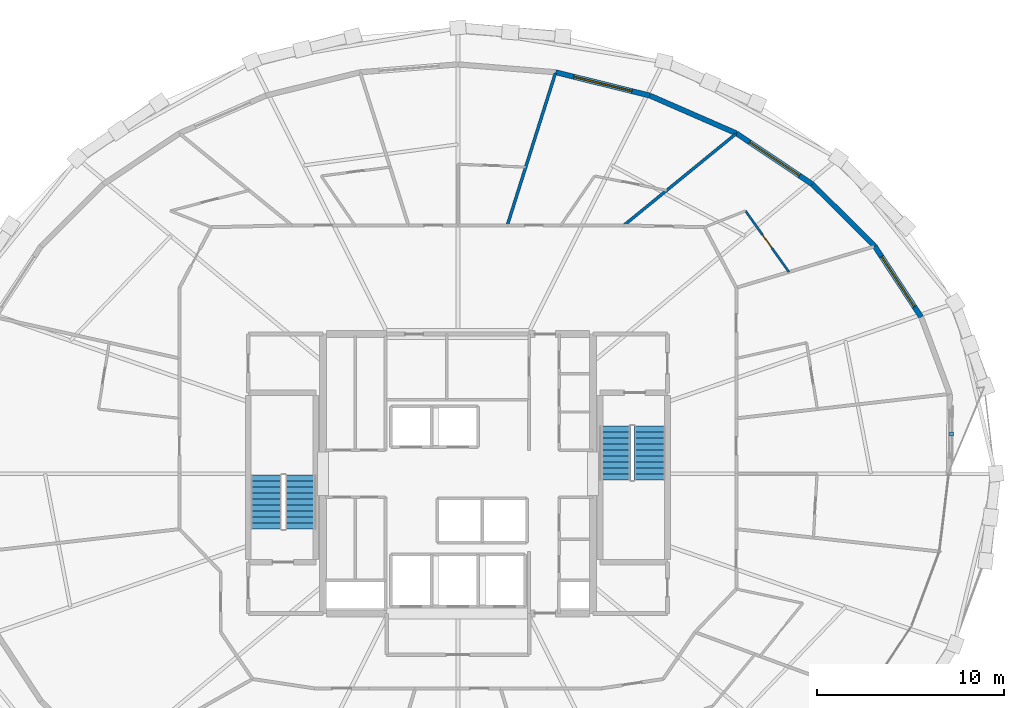
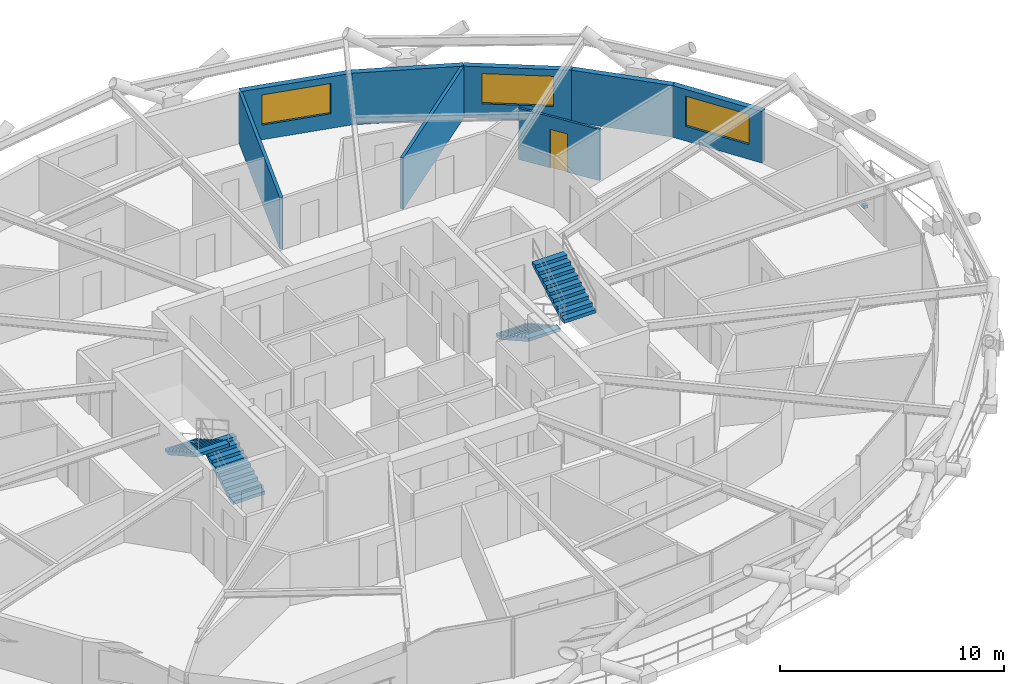
# One storey, part 17 of 20: 8 walls, 4 stair flights, 3 windows, 1 discrete accessory, 1 door, 4 openings, 2 elements without a shape of their own.
"""IFC4 building model written with IfcOpenShell, lengths in metres."""

from ifc_helpers import new_model, si_unit, direction, frame, frame_2d, origin, origin_2d, place, context, subcontext, project, spatial, polyline, rectangle, outline, extrude, material, layer, layer_set, type_object, element, fill, aggregate, save


model = new_model("IFC4")

# Units and contexts
model_context = context("Model", 3, precision=1e-05, world=origin(), true_north=direction((0.0, 1.0)))
body_context = subcontext(model_context, "Body", "Model", "MODEL_VIEW")
ifc_project = project(units=[si_unit("LENGTHUNIT", "METRE"), si_unit("AREAUNIT", "SQUARE_METRE"), si_unit("VOLUMEUNIT", "CUBIC_METRE"), si_unit("PLANEANGLEUNIT", "RADIAN"), si_unit("MASSUNIT", "GRAM", prefix="KILO")], contexts=[model_context])

# Site, building, storey
site_placement = place(None, origin())
site = spatial("IfcSite", under=ifc_project, at=site_placement, CompositionType="ELEMENT")
building_placement = place(site_placement, origin())
building = spatial("IfcBuilding", under=site, at=building_placement, Name="Veldorina Hangang Commons", CompositionType="ELEMENT")
storey_placement = place(building_placement, frame((0.0, 0.0, 117.199951171875)))
storey = spatial("IfcBuildingStorey", under=building, at=storey_placement, Name="L29", CompositionType="ELEMENT", Elevation=117.199951171875)

# Wall, opening, window
ifc_material_1 = material(Name="Stone Roman Travertine", Category="masonry")
ifc_layer_1 = layer(ifc_material_1, 0.280029296875)
ifc_layer_set_1 = layer_set([ifc_layer_1], Name="Stone Roman Travertine")
wall_type_1 = type_object("IfcWallType", Name="EW-TRAV-280", PredefinedType="STANDARD", material=ifc_layer_set_1)
wall_1_placement = place(storey_placement, frame((56.71044921875, 32.355712890625, 0.0), z_axis=(0.0, 0.0, 1.0), x_axis=(-0.547750773174, 0.836641554363, 0.0)))
wall_1 = element("IfcWall", 1, at=wall_1_placement, inside=storey, type_object=wall_type_1, Name="L29 travertine facade wall 02", PredefinedType="STANDARD", context=body_context, shape_type="SweptSolid", body=[
    extrude(rectangle(XDim=4.511962890625, YDim=0.280029296875, at=frame_2d((2.255859375, 0.0))), origin(), (0.0, 0.0, 1.0), 2.820068359375),
])
opening_1_placement = place(wall_1_placement, frame((0.656005859375, 0.0, 0.800048828125)))
opening_1 = element("IfcOpeningElement", 2, at=opening_1_placement, cuts=wall_1, Name="Opening W-01", PredefinedType="OPENING", context=body_context, shape_type="SweptSolid", body=[
    extrude(rectangle(XDim=3.199951171875, YDim=1.64990234375, at=frame_2d((1.60009765625, 0.824951171875))), frame((0.0, 0.14990234375, 0.0), z_axis=(0.0, -1.0, 0.0), x_axis=(1.0, 0.0, 0.0)), (0.0, 0.0, 1.0), 0.300048828125),
])
ifc_material_2 = material(Name="Glass Low-E Triple IGU", Category="glass")
window_type = type_object("IfcWindowType", Name="WIN-TWR-3200", PartitioningType="SINGLE_PANEL", PredefinedType="WINDOW", material=ifc_material_2)
window_1_placement = place(opening_1_placement, origin())
window_1 = element("IfcWindow", 3, at=window_1_placement, inside=storey, type_object=window_type, Name="L29 facade window 02", OverallHeight=1.64990234375, OverallWidth=3.199951171875, PartitioningType="SINGLE_PANEL", PredefinedType="WINDOW", context=body_context, shape_type="SweptSolid", body=[
    extrude(rectangle(XDim=3.199951171875, YDim=1.64990234375, at=frame_2d((1.60009765625, 0.824951171875))), frame((0.0, 0.030029296875, 0.0), z_axis=(0.0, -1.0, 0.0), x_axis=(1.0, 0.0, 0.0)), (0.0, 0.0, 1.0), 0.06005859375),
])
fill(opening_1, window_1)

# Wall
wall_2_placement = place(storey_placement, frame((54.239013671875, 36.130615234375, 0.0), z_axis=(0.0, 0.0, 1.0), x_axis=(-0.708977561681, 0.705231038052, 0.0)))
element("IfcWall", 4, at=wall_2_placement, inside=storey, type_object=wall_type_1, Name="L29 travertine facade wall 03", PredefinedType="STANDARD", context=body_context, shape_type="SweptSolid", body=[
    extrude(rectangle(XDim=4.69189453125, YDim=0.280029296875, at=frame_2d((2.345947265625, 0.0))), origin(), (0.0, 0.0, 1.0), 2.820068359375),
])

# Wall, opening, window
wall_3_placement = place(storey_placement, frame((50.91259765625, 39.439453125, 0.0), z_axis=(0.0, 0.0, 1.0), x_axis=(-0.830785482437, 0.556592743549, 0.0)))
wall_3 = element("IfcWall", 5, at=wall_3_placement, inside=storey, type_object=wall_type_1, Name="L29 travertine facade wall 04", PredefinedType="STANDARD", context=body_context, shape_type="SweptSolid", body=[
    extrude(rectangle(XDim=4.87841796875, YDim=0.280029296875, at=frame_2d((2.439208984375, 0.0))), origin(), (0.0, 0.0, 1.0), 2.820068359375),
])
opening_2_placement = place(wall_3_placement, frame((0.83935546875, 0.0, 0.800048828125)))
opening_2 = element("IfcOpeningElement", 6, at=opening_2_placement, cuts=wall_3, Name="Opening W-01", PredefinedType="OPENING", context=body_context, shape_type="SweptSolid", body=[
    extrude(rectangle(XDim=3.199951171875, YDim=1.64990234375, at=frame_2d((1.60009765625, 0.824951171875))), frame((0.0, 0.14990234375, 0.0), z_axis=(0.0, -1.0, 0.0), x_axis=(1.0, 0.0, 0.0)), (0.0, 0.0, 1.0), 0.300048828125),
])
window_2_placement = place(opening_2_placement, origin())
window_2 = element("IfcWindow", 7, at=window_2_placement, inside=storey, type_object=window_type, Name="L29 facade window 04", OverallHeight=1.64990234375, OverallWidth=3.199951171875, PartitioningType="SINGLE_PANEL", PredefinedType="WINDOW", context=body_context, shape_type="SweptSolid", body=[
    extrude(rectangle(XDim=3.199951171875, YDim=1.64990234375, at=frame_2d((1.60009765625, 0.824951171875))), frame((0.0, 0.030029296875, 0.0), z_axis=(0.0, -1.0, 0.0), x_axis=(1.0, 0.0, 0.0)), (0.0, 0.0, 1.0), 0.06005859375),
])
fill(opening_2, window_2)

# Wall
wall_4_placement = place(storey_placement, frame((46.859619140625, 42.15478515625, 0.0), z_axis=(0.0, 0.0, 1.0), x_axis=(-0.916542280899, 0.39993780432, 0.0)))
element("IfcWall", 8, at=wall_4_placement, inside=storey, type_object=wall_type_1, Name="L29 travertine facade wall 05", PredefinedType="STANDARD", context=body_context, shape_type="SweptSolid", body=[
    extrude(rectangle(XDim=5.04541015625, YDim=0.280029296875, at=frame_2d((2.522705078125, 0.0))), origin(), (0.0, 0.0, 1.0), 2.820068359375),
])

# Wall, opening, window
wall_5_placement = place(storey_placement, frame((42.2353515625, 44.172607421875, 0.0), z_axis=(0.0, 0.0, 1.0), x_axis=(-0.970681867926, 0.24036786657, 0.0)))
wall_5 = element("IfcWall", 9, at=wall_5_placement, inside=storey, type_object=wall_type_1, Name="L29 travertine facade wall 06", PredefinedType="STANDARD", context=body_context, shape_type="SweptSolid", body=[
    extrude(rectangle(XDim=5.1689453125, YDim=0.280029296875, at=frame_2d((2.58447265625, 0.0))), origin(), (0.0, 0.0, 1.0), 2.820068359375),
])
opening_3_placement = place(wall_5_placement, frame((0.984619140625, 0.0, 0.800048828125)))
opening_3 = element("IfcOpeningElement", 10, at=opening_3_placement, cuts=wall_5, Name="Opening W-01", PredefinedType="OPENING", context=body_context, shape_type="SweptSolid", body=[
    extrude(rectangle(XDim=3.199951171875, YDim=1.64990234375, at=frame_2d((1.60009765625, 0.824951171875))), frame((0.0, 0.14990234375, 0.0), z_axis=(0.0, -1.0, 0.0), x_axis=(1.0, 0.0, 0.0)), (0.0, 0.0, 1.0), 0.300048828125),
])
window_3_placement = place(opening_3_placement, origin())
window_3 = element("IfcWindow", 11, at=window_3_placement, inside=storey, type_object=window_type, Name="L29 facade window 06", OverallHeight=1.64990234375, OverallWidth=3.199951171875, PartitioningType="SINGLE_PANEL", PredefinedType="WINDOW", context=body_context, shape_type="SweptSolid", body=[
    extrude(rectangle(XDim=3.199951171875, YDim=1.64990234375, at=frame_2d((1.60009765625, 0.824951171875))), frame((0.0, 0.030029296875, 0.0), z_axis=(0.0, -1.0, 0.0), x_axis=(1.0, 0.0, 0.0)), (0.0, 0.0, 1.0), 0.06005859375),
])
fill(opening_3, window_3)

# Walls
ifc_material_3 = material(Name="Gypsum Fire-Rated Twin Stud Wall", Category="gypsum")
ifc_layer_2 = layer(ifc_material_3, 0.159912109375)
ifc_layer_set_2 = layer_set([ifc_layer_2], Name="Gypsum Fire-Rated Twin Stud Wall")
wall_type_2 = type_object("IfcWallType", Name="WL-FIRE-160", PredefinedType="SOLIDWALL", material=ifc_layer_set_2)
wall_6_placement = place(storey_placement, frame((40.853515625, 37.25, 0.0), z_axis=(0.0, 0.0, 1.0), x_axis=(0.774531610093, 0.632535204528, 0.0)))
element("IfcWall", 12, at=wall_6_placement, inside=storey, type_object=wall_type_2, Name="L29 Unit party wall 05 099", PredefinedType="SOLIDWALL", context=body_context, shape_type="SweptSolid", body=[
    extrude(rectangle(XDim=7.704345703125, YDim=0.159912109375, at=frame_2d((3.85205078125, 0.0))), origin(), (0.0, 0.0, 1.0), 2.800048828125),
])
wall_7_placement = place(storey_placement, frame((34.635498046875, 37.25, 0.0), z_axis=(0.0, 0.0, 1.0), x_axis=(0.301556782857, 0.953448219209, 0.0)))
element("IfcWall", 13, at=wall_7_placement, inside=storey, type_object=wall_type_2, Name="L29 Unit party wall 07 102", PredefinedType="SOLIDWALL", context=body_context, shape_type="SweptSolid", body=[
    extrude(rectangle(XDim=8.513671875, YDim=0.159912109375, at=frame_2d((4.2568359375, 0.0))), origin(), (0.0, 0.0, 1.0), 2.800048828125),
])

# Wall, opening, door
ifc_material_4 = material(Name="Gypsum Acoustic Stud Partition", Category="gypsum")
ifc_layer_3 = layer(ifc_material_4, 0.1201171875)
ifc_layer_set_3 = layer_set([ifc_layer_3], Name="Gypsum Acoustic Stud Partition")
wall_type_3 = type_object("IfcWallType", Name="WL-PART-120", PredefinedType="PARTITIONING", material=ifc_layer_set_3)
wall_8_placement = place(storey_placement, frame((49.65771484375, 34.76171875, 0.0), z_axis=(0.0, 0.0, 1.0), x_axis=(-0.579666154862, 0.814854066019, 0.0)))
wall_8 = element("IfcWall", 14, at=wall_8_placement, inside=storey, type_object=wall_type_3, Name="L29 Studio 5 bath front wall 097", PredefinedType="PARTITIONING", context=body_context, shape_type="SweptSolid", body=[
    extrude(rectangle(XDim=3.99853515625, YDim=0.1201171875, at=frame_2d((1.999267578125, 0.0))), origin(), (0.0, 0.0, 1.0), 2.800048828125),
])
opening_4_placement = place(wall_8_placement, frame((1.5693359375, 0.0, 0.0)))
opening_4 = element("IfcOpeningElement", 15, at=opening_4_placement, cuts=wall_8, Name="Opening D-01", PredefinedType="OPENING", context=body_context, shape_type="SweptSolid", body=[
    extrude(rectangle(XDim=0.860107421875, YDim=2.10009765625, at=frame_2d((0.43017578125, 1.050048828125))), frame((0.0, 0.070068359375, 0.0), z_axis=(0.0, -1.0, 0.0), x_axis=(1.0, 0.0, 0.0)), (0.0, 0.0, 1.0), 0.14013671875),
])
ifc_material_5 = material(Name="Timber Moisture-Resistant Core", Category="wood")
door_type = type_object("IfcDoorType", Name="DR-WET-860", OperationType="SINGLE_SWING_LEFT", PredefinedType="DOOR", material=ifc_material_5)
door_placement = place(opening_4_placement, origin())
door = element("IfcDoor", 16, at=door_placement, inside=storey, type_object=door_type, Name="L29 Studio 5 bathroom door 030", OperationType="SINGLE_SWING_RIGHT", OverallHeight=2.10009765625, OverallWidth=0.860107421875, PredefinedType="DOOR", context=body_context, shape_type="SweptSolid", body=[
    extrude(rectangle(XDim=0.860107421875, YDim=2.10009765625, at=frame_2d((0.43017578125, 1.050048828125))), frame((0.0, 0.02490234375, 0.0), z_axis=(0.0, -1.0, 0.0), x_axis=(1.0, 0.0, 0.0)), (0.0, 0.0, 1.0), 0.050048828125),
])
fill(opening_4, door)

# Stair, stair flights
ifc_material_6 = material(Name="Concrete C40/50", Category="concrete")
stair_type = type_object("IfcStairType", Name="STR-DOG-1650-20R", PredefinedType="HALF_TURN_STAIR", material=ifc_material_6)
stair_1_placement = place(storey_placement, origin())
stair_1 = element("IfcStair", 17, at=stair_1_placement, inside=storey, type_object=stair_type, Name="L29 Exit stair ST-1", PredefinedType="HALF_TURN_STAIR")
stair_flight_type = type_object("IfcStairFlightType", Name="SFL-STR-1650-20R", PredefinedType="STRAIGHT", material=ifc_material_6)
stair_flight_1_placement = place(storey_placement, frame((23.625, 21.050048828125, 0.0), z_axis=(0.0, 0.0, 1.0), x_axis=(0.0, 1.0, 0.0)))
stair_flight_1 = element("IfcStairFlight", 18, at=stair_flight_1_placement, type_object=stair_flight_type, Name="ST-1 flight 1", NumberOfRisers=10, NumberOfTreads=9, PredefinedType="STRAIGHT", RiserHeight=0.18, TreadLength=0.32, context=body_context, shape_type="SweptSolid", body=[
    extrude(outline(polyline([(0.0, 0.0), (0.0, 0.179931640625), (0.320068359375, 0.179931640625), (0.320068359375, 0.360107421875), (0.639892578125, 0.360107421875), (0.639892578125, 0.5400390625), (0.9599609375, 0.5400390625), (0.9599609375, 0.719970703125), (1.280029296875, 0.719970703125), (1.280029296875, 0.89990234375), (1.60009765625, 0.89990234375), (1.60009765625, 1.080078125), (1.919921875, 1.080078125), (1.919921875, 1.260009765625), (2.239990234375, 1.260009765625), (2.239990234375, 1.43994140625), (2.56005859375, 1.43994140625), (2.56005859375, 1.6201171875), (2.8798828125, 1.6201171875), (2.8798828125, 1.800048828125), (2.8798828125, 1.447998046875), (0.3056640625, 0.0), (0.0, 0.0)])), frame((0.0, 0.824951171875, 0.0), z_axis=(0.0, -1.0, 0.0), x_axis=(1.0, 0.0, 0.0)), (0.0, 0.0, 1.0), 1.64990234375),
])
stair_flight_2_placement = place(storey_placement, frame((21.77490234375, 23.929931640625, 1.800048828125), z_axis=(0.0, 0.0, 1.0), x_axis=(0.0, -1.0, 0.0)))
stair_flight_2 = element("IfcStairFlight", 19, at=stair_flight_2_placement, type_object=stair_flight_type, Name="ST-1 flight 2", NumberOfRisers=10, NumberOfTreads=9, PredefinedType="STRAIGHT", RiserHeight=0.18, TreadLength=0.32, context=body_context, shape_type="SweptSolid", body=[
    extrude(outline(polyline([(0.0, 0.0), (0.0, 0.179931640625), (0.320068359375, 0.179931640625), (0.320068359375, 0.360107421875), (0.639892578125, 0.360107421875), (0.639892578125, 0.5400390625), (0.9599609375, 0.5400390625), (0.9599609375, 0.719970703125), (1.280029296875, 0.719970703125), (1.280029296875, 0.89990234375), (1.60009765625, 0.89990234375), (1.60009765625, 1.080078125), (1.919921875, 1.080078125), (1.919921875, 1.260009765625), (2.239990234375, 1.260009765625), (2.239990234375, 1.43994140625), (2.56005859375, 1.43994140625), (2.56005859375, 1.6201171875), (2.8798828125, 1.6201171875), (2.8798828125, 1.800048828125), (2.8798828125, 1.447998046875), (0.3056640625, 0.0), (0.0, 0.0)])), frame((0.0, 0.824951171875, 0.0), z_axis=(0.0, -1.0, 0.0), x_axis=(1.0, 0.0, 0.0)), (0.0, 0.0, 1.0), 1.64990234375),
])
aggregate(stair_1, [stair_flight_1, stair_flight_2])

stair_2_placement = place(storey_placement, origin())
stair_2 = element("IfcStair", 20, at=stair_2_placement, inside=storey, type_object=stair_type, Name="L29 Exit stair ST-2", PredefinedType="HALF_TURN_STAIR")
stair_flight_3_placement = place(storey_placement, frame((40.375, 26.550048828125, 0.0), z_axis=(0.0, 0.0, 1.0), x_axis=(0.0, -1.0, 0.0)))
stair_flight_3 = element("IfcStairFlight", 21, at=stair_flight_3_placement, type_object=stair_flight_type, Name="ST-2 flight 1", NumberOfRisers=10, NumberOfTreads=9, PredefinedType="STRAIGHT", RiserHeight=0.18, TreadLength=0.32, context=body_context, shape_type="SweptSolid", body=[
    extrude(outline(polyline([(0.0, 0.0), (0.0, 0.179931640625), (0.320068359375, 0.179931640625), (0.320068359375, 0.360107421875), (0.639892578125, 0.360107421875), (0.639892578125, 0.5400390625), (0.9599609375, 0.5400390625), (0.9599609375, 0.719970703125), (1.280029296875, 0.719970703125), (1.280029296875, 0.89990234375), (1.60009765625, 0.89990234375), (1.60009765625, 1.080078125), (1.919921875, 1.080078125), (1.919921875, 1.260009765625), (2.239990234375, 1.260009765625), (2.239990234375, 1.43994140625), (2.56005859375, 1.43994140625), (2.56005859375, 1.6201171875), (2.8798828125, 1.6201171875), (2.8798828125, 1.800048828125), (2.8798828125, 1.447998046875), (0.3056640625, 0.0), (0.0, 0.0)])), frame((0.0, 0.824951171875, 0.0), z_axis=(0.0, -1.0, 0.0), x_axis=(1.0, 0.0, 0.0)), (0.0, 0.0, 1.0), 1.64990234375),
])
stair_flight_4_placement = place(storey_placement, frame((42.22509765625, 23.669921875, 1.800048828125), z_axis=(0.0, 0.0, 1.0), x_axis=(0.0, 1.0, 0.0)))
stair_flight_4 = element("IfcStairFlight", 22, at=stair_flight_4_placement, type_object=stair_flight_type, Name="ST-2 flight 2", NumberOfRisers=10, NumberOfTreads=9, PredefinedType="STRAIGHT", RiserHeight=0.18, TreadLength=0.32, context=body_context, shape_type="SweptSolid", body=[
    extrude(outline(polyline([(0.0, 0.0), (0.0, 0.179931640625), (0.320068359375, 0.179931640625), (0.320068359375, 0.360107421875), (0.639892578125, 0.360107421875), (0.639892578125, 0.5400390625), (0.9599609375, 0.5400390625), (0.9599609375, 0.719970703125), (1.280029296875, 0.719970703125), (1.280029296875, 0.89990234375), (1.60009765625, 0.89990234375), (1.60009765625, 1.080078125), (1.919921875, 1.080078125), (1.919921875, 1.260009765625), (2.239990234375, 1.260009765625), (2.239990234375, 1.43994140625), (2.56005859375, 1.43994140625), (2.56005859375, 1.6201171875), (2.8798828125, 1.6201171875), (2.8798828125, 1.800048828125), (2.8798828125, 1.447998046875), (0.3056640625, 0.0), (0.0, 0.0)])), frame((0.0, 0.824951171875, 0.0), z_axis=(0.0, -1.0, 0.0), x_axis=(1.0, 0.0, 0.0)), (0.0, 0.0, 1.0), 1.64990234375),
])
aggregate(stair_2, [stair_flight_3, stair_flight_4])

# Discrete accessory
ifc_material_7 = material(Name="Stainless Steel Brushed 316", Category="steel")
discrete_accessory_type = type_object("IfcDiscreteAccessoryType", Name="BRK-SCR-SS", PredefinedType="BRACKET", material=ifc_material_7)
discrete_accessory_placement = place(storey_placement, frame((58.32958984375, 26.128662109375, 0.72021484375), z_axis=(0.0, 0.0, 1.0), x_axis=(0.010820830182, 0.999941453103, 0.0)))
element("IfcDiscreteAccessory", 23, at=discrete_accessory_placement, inside=storey, type_object=discrete_accessory_type, Name="L29 solar screen support bracket 00", PredefinedType="BRACKET", context=body_context, shape_type="SweptSolid", body=[
    extrude(rectangle(XDim=0.219970703125, YDim=0.219970703125, at=origin_2d()), origin(), (0.0, 0.0, 1.0), 0.159912109375),
])

save(model, "model.ifc")
